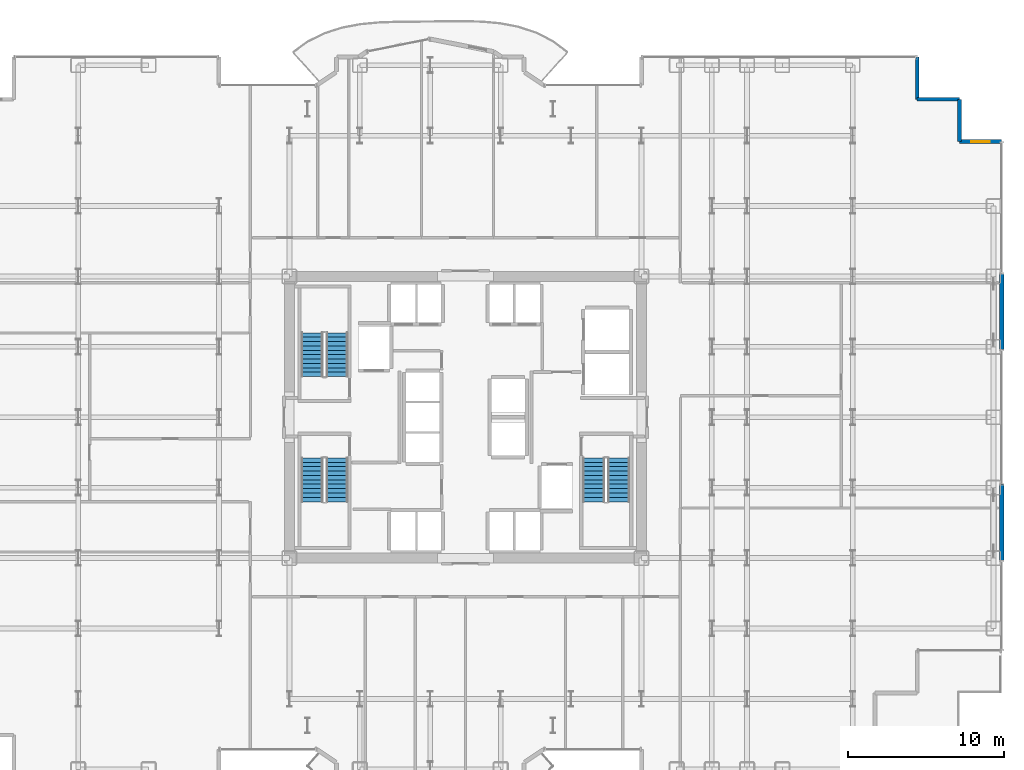
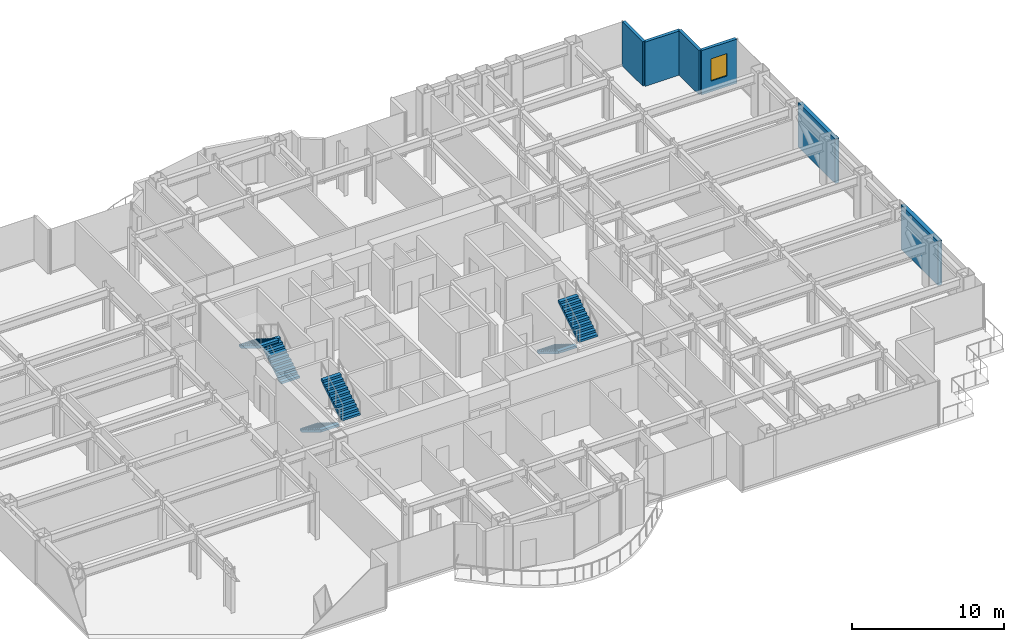
# One storey, part 27 of 29: 6 stair flights, 6 walls, 1 window, 1 opening, 3 elements without a shape of their own.
"""IFC4 building model written with IfcOpenShell, lengths in metres."""

from ifc_helpers import new_model, si_unit, direction, frame, frame_2d, origin, place, context, subcontext, project, spatial, polyline, rectangle, outline, extrude, source, transform, mapped, material, layer, layer_set, type_object, element, fill, aggregate, save


model = new_model("IFC4")

# Units and contexts
model_context = context("Model", 3, precision=1e-05, world=origin(), true_north=direction((0.0, 1.0)))
body_context = subcontext(model_context, "Body", "Model", "MODEL_VIEW")
ifc_project = project(units=[si_unit("LENGTHUNIT", "METRE"), si_unit("AREAUNIT", "SQUARE_METRE"), si_unit("VOLUMEUNIT", "CUBIC_METRE"), si_unit("PLANEANGLEUNIT", "RADIAN"), si_unit("MASSUNIT", "GRAM", prefix="KILO")], contexts=[model_context])

# Site, building, storey
site_placement = place(None, origin())
site = spatial("IfcSite", under=ifc_project, at=site_placement, CompositionType="ELEMENT")
building_placement = place(site_placement, origin())
building = spatial("IfcBuilding", under=site, at=building_placement, Name="Nefas-Gora Pilgrimage Tower", CompositionType="ELEMENT")
storey_placement = place(building_placement, frame((0.0, 0.0, 67.199951171875)))
storey = spatial("IfcBuildingStorey", under=building, at=storey_placement, Name="L15", CompositionType="ELEMENT", Elevation=67.199951171875)

# Walls
ifc_material_1 = material(Name="Precast concrete C45/55", Category="concrete")
ifc_layer = layer(ifc_material_1, 0.239990234375)
ifc_layer_set = layer_set([ifc_layer], Name="Precast concrete C45/55")
wall_type = type_object("IfcWallType", Name="EW-SERR-240", PredefinedType="SHEAR", material=ifc_layer_set)
shared_shape_1 = source(origin(), body_context, "Body", "SweptSolid", [
    extrude(rectangle(XDim=4.8798828125, YDim=0.300048828125, at=frame_2d((2.43994140625, 0.0))), origin(), (0.0, 0.0, 1.0), 3.550048828125),
])
for number, where, z_axis, x_axis, name in (
    (1, (34.27001953125, -9.18994140625, 0.0), (0.0, 0.0, 1.0), (0.0, 1.0, 0.0), "L15 Braced-Tube Precast Shear Cladding 3"),
    (2, (34.27001953125, 4.31005859375, 0.0), (0.0, 0.0, 1.0), (0.0, 1.0, 0.0), "L15 Braced-Tube Precast Shear Cladding 4"),
):
    element("IfcWall", number, at=place(storey_placement, frame(where, z_axis=z_axis, x_axis=x_axis)), inside=storey, type_object=wall_type, Name=name, PredefinedType="SHEAR", context=body_context, shape_type="MappedRepresentation", body=[
        mapped(shared_shape_1, transform((0.0, 0.0, 0.0), x_axis=(1.0, 0.0, 0.0), y_axis=(0.0, 1.0, 0.0), z_axis=(0.0, 0.0, 1.0), scale=1.0)),
    ])

# Wall, opening, window
shared_shape_2 = source(origin(), body_context, "Body", "SweptSolid", [
    extrude(rectangle(XDim=2.699951171875, YDim=0.239990234375, at=frame_2d((1.35009765625, 0.0))), origin(), (0.0, 0.0, 1.0), 3.550048828125),
])
wall_placement = place(storey_placement, frame((34.27001953125, 17.6201171875, 0.0), z_axis=(0.0, 0.0, 1.0), x_axis=(-1.0, 0.0, 0.0)))
wall = element("IfcWall", 3, at=wall_placement, inside=storey, type_object=wall_type, Name="L15 Serrated Corner Shear Pier Wall 9", PredefinedType="SHEAR", context=body_context, shape_type="MappedRepresentation", body=[
    mapped(shared_shape_2, transform((0.0, 0.0, 0.0), x_axis=(1.0, 0.0, 0.0), y_axis=(0.0, 1.0, 0.0), z_axis=(0.0, 0.0, 1.0), scale=1.0)),
])
opening_placement = place(wall_placement, frame((0.75, 0.0, 0.85009765625)))
opening = element("IfcOpeningElement", 4, at=opening_placement, cuts=wall, Name="Opening W-V1", PredefinedType="OPENING", context=body_context, shape_type="SweptSolid", body=[
    extrude(rectangle(XDim=1.199951171875, YDim=1.800048828125, at=frame_2d((0.60009765625, 0.89990234375))), frame((0.0, 0.1298828125, 0.0), z_axis=(0.0, -1.0, 0.0), x_axis=(1.0, 0.0, 0.0)), (0.0, 0.0, 1.0), 0.260009765625),
])
ifc_material_2 = material(Name="Dark ceramic-fritted operable aluminium-glass window", Category="aluminium")
window_type = type_object("IfcWindowType", Name="WIN-VENT-1200x1800", PartitioningType="SINGLE_PANEL", PredefinedType="WINDOW", material=ifc_material_2)
shared_shape_3 = source(origin(), body_context, "Body", "SweptSolid", [
    extrude(rectangle(XDim=1.199951171875, YDim=1.800048828125, at=frame_2d((0.60009765625, 0.89990234375))), frame((0.0, 0.030029296875, 0.0), z_axis=(0.0, -1.0, 0.0), x_axis=(1.0, 0.0, 0.0)), (0.0, 0.0, 1.0), 0.06005859375),
])
window_placement = place(opening_placement, origin())
window = element("IfcWindow", 5, at=window_placement, inside=storey, type_object=window_type, Name="L15 Operable Parallel-Outswing Window 9", OverallHeight=1.800048828125, OverallWidth=1.199951171875, PartitioningType="SINGLE_PANEL", PredefinedType="WINDOW", context=body_context, shape_type="MappedRepresentation", body=[
    mapped(shared_shape_3, transform((0.0, 0.0, 0.0), x_axis=(1.0, 0.0, 0.0), y_axis=(0.0, 1.0, 0.0), z_axis=(0.0, 0.0, 1.0), scale=1.0)),
])
fill(opening, window)

# Walls
for number, where, z_axis, x_axis, name in (
    (6, (31.570068359375, 17.6201171875, 0.0), (0.0, 0.0, 1.0), (0.0, 1.0, 0.0), "L15 Serrated Corner Shear Pier Wall 10"),
    (7, (31.570068359375, 20.320068359375, 0.0), (0.0, 0.0, 1.0), (-1.0, 0.0, 0.0), "L15 Serrated Corner Shear Pier Wall 11"),
    (8, (28.8701171875, 20.320068359375, 0.0), (0.0, 0.0, 1.0), (0.0, 1.0, 0.0), "L15 Serrated Corner Shear Pier Wall 12"),
):
    element("IfcWall", number, at=place(storey_placement, frame(where, z_axis=z_axis, x_axis=x_axis)), inside=storey, type_object=wall_type, Name=name, PredefinedType="SHEAR", context=body_context, shape_type="MappedRepresentation", body=[
        mapped(shared_shape_2, transform((0.0, 0.0, 0.0), x_axis=(1.0, 0.0, 0.0), y_axis=(0.0, 1.0, 0.0), z_axis=(0.0, 0.0, 1.0), scale=1.0)),
    ])

# Stair, stair flights
ifc_material_3 = material(Name="Concrete C45/55", Category="concrete")
stair_type = type_object("IfcStairType", Name="STR-1400-R1727", PredefinedType="HALF_TURN_STAIR", material=ifc_material_3)
stair_1_placement = place(storey_placement, origin())
stair_1 = element("IfcStair", 9, at=stair_1_placement, inside=storey, type_object=stair_type, Name="L15 Pressurised Tower Exit Stair ST-01", PredefinedType="HALF_TURN_STAIR")
stair_flight_type = type_object("IfcStairFlightType", Name="STF-1400-R1727", PredefinedType="STRAIGHT", material=ifc_material_3)
shared_shape_4 = source(origin(), body_context, "Body", "SweptSolid", [
    extrude(outline(polyline([(0.0, 0.0), (0.0, 0.172607421875), (0.280029296875, 0.172607421875), (0.280029296875, 0.345458984375), (0.56005859375, 0.345458984375), (0.56005859375, 0.51806640625), (0.840087890625, 0.51806640625), (0.840087890625, 0.69091796875), (1.1201171875, 0.69091796875), (1.1201171875, 0.863525390625), (1.39990234375, 0.863525390625), (1.39990234375, 1.036376953125), (1.679931640625, 1.036376953125), (1.679931640625, 1.208984375), (1.9599609375, 1.208984375), (1.9599609375, 1.3818359375), (2.239990234375, 1.3818359375), (2.239990234375, 1.554443359375), (2.52001953125, 1.554443359375), (2.52001953125, 1.727294921875), (2.800048828125, 1.727294921875), (2.800048828125, 1.89990234375), (2.800048828125, 1.551025390625), (0.285400390625, 0.0), (0.0, 0.0)])), frame((0.0, 0.699951171875, 0.0), z_axis=(0.0, -1.0, 0.0), x_axis=(1.0, 0.0, 0.0)), (0.0, 0.0, 1.0), 1.39990234375),
])
stair_flight_1_placement = place(storey_placement, frame((-8.199951171875, 2.60009765625, 0.0), z_axis=(0.0, 0.0, 1.0), x_axis=(0.0, 1.0, 0.0)))
stair_flight_1 = element("IfcStairFlight", 10, at=stair_flight_1_placement, type_object=stair_flight_type, Name="ST-01 flight 1", NumberOfRisers=11, NumberOfTreads=10, PredefinedType="STRAIGHT", RiserHeight=0.172727273, TreadLength=0.28, context=body_context, shape_type="MappedRepresentation", body=[
    mapped(shared_shape_4, transform((0.0, 0.0, 0.0), x_axis=(1.0, 0.0, 0.0), y_axis=(0.0, 1.0, 0.0), z_axis=(0.0, 0.0, 1.0), scale=1.0)),
])
stair_flight_2_placement = place(storey_placement, frame((-9.800048828125, 5.39990234375, 1.900146484375), z_axis=(0.0, 0.0, 1.0), x_axis=(0.0, -1.0, 0.0)))
stair_flight_2 = element("IfcStairFlight", 11, at=stair_flight_2_placement, type_object=stair_flight_type, Name="ST-01 flight 2", NumberOfRisers=11, NumberOfTreads=10, PredefinedType="STRAIGHT", RiserHeight=0.172727273, TreadLength=0.28, context=body_context, shape_type="MappedRepresentation", body=[
    mapped(shared_shape_4, transform((0.0, 0.0, 0.0), x_axis=(1.0, 0.0, 0.0), y_axis=(0.0, 1.0, 0.0), z_axis=(0.0, 0.0, 1.0), scale=1.0)),
])
aggregate(stair_1, [stair_flight_1, stair_flight_2])

stair_2_placement = place(storey_placement, origin())
stair_2 = element("IfcStair", 12, at=stair_2_placement, inside=storey, type_object=stair_type, Name="L15 Pressurised Tower Exit Stair ST-02", PredefinedType="HALF_TURN_STAIR")
stair_flight_3_placement = place(storey_placement, frame((8.199951171875, -2.60009765625, 0.0), z_axis=(0.0, 0.0, 1.0), x_axis=(0.0, -1.0, 0.0)))
stair_flight_3 = element("IfcStairFlight", 13, at=stair_flight_3_placement, type_object=stair_flight_type, Name="ST-02 flight 1", NumberOfRisers=11, NumberOfTreads=10, PredefinedType="STRAIGHT", RiserHeight=0.172727273, TreadLength=0.28, context=body_context, shape_type="MappedRepresentation", body=[
    mapped(shared_shape_4, transform((0.0, 0.0, 0.0), x_axis=(1.0, 0.0, 0.0), y_axis=(0.0, 1.0, 0.0), z_axis=(0.0, 0.0, 1.0), scale=1.0)),
])
stair_flight_4_placement = place(storey_placement, frame((9.800048828125, -5.39990234375, 1.900146484375), z_axis=(0.0, 0.0, 1.0), x_axis=(0.0, 1.0, 0.0)))
stair_flight_4 = element("IfcStairFlight", 14, at=stair_flight_4_placement, type_object=stair_flight_type, Name="ST-02 flight 2", NumberOfRisers=11, NumberOfTreads=10, PredefinedType="STRAIGHT", RiserHeight=0.172727273, TreadLength=0.28, context=body_context, shape_type="MappedRepresentation", body=[
    mapped(shared_shape_4, transform((0.0, 0.0, 0.0), x_axis=(1.0, 0.0, 0.0), y_axis=(0.0, 1.0, 0.0), z_axis=(0.0, 0.0, 1.0), scale=1.0)),
])
aggregate(stair_2, [stair_flight_3, stair_flight_4])

stair_3_placement = place(storey_placement, origin())
stair_3 = element("IfcStair", 15, at=stair_3_placement, inside=storey, type_object=stair_type, Name="L15 Pressurised Tower Exit Stair ST-03", PredefinedType="HALF_TURN_STAIR")
stair_flight_5_placement = place(storey_placement, frame((-9.800048828125, -2.60009765625, 0.0), z_axis=(0.0, 0.0, 1.0), x_axis=(0.0, -1.0, 0.0)))
stair_flight_5 = element("IfcStairFlight", 16, at=stair_flight_5_placement, type_object=stair_flight_type, Name="ST-03 flight 1", NumberOfRisers=11, NumberOfTreads=10, PredefinedType="STRAIGHT", RiserHeight=0.172727273, TreadLength=0.28, context=body_context, shape_type="MappedRepresentation", body=[
    mapped(shared_shape_4, transform((0.0, 0.0, 0.0), x_axis=(1.0, 0.0, 0.0), y_axis=(0.0, 1.0, 0.0), z_axis=(0.0, 0.0, 1.0), scale=1.0)),
])
stair_flight_6_placement = place(storey_placement, frame((-8.199951171875, -5.39990234375, 1.900146484375), z_axis=(0.0, 0.0, 1.0), x_axis=(0.0, 1.0, 0.0)))
stair_flight_6 = element("IfcStairFlight", 17, at=stair_flight_6_placement, type_object=stair_flight_type, Name="ST-03 flight 2", NumberOfRisers=11, NumberOfTreads=10, PredefinedType="STRAIGHT", RiserHeight=0.172727273, TreadLength=0.28, context=body_context, shape_type="MappedRepresentation", body=[
    mapped(shared_shape_4, transform((0.0, 0.0, 0.0), x_axis=(1.0, 0.0, 0.0), y_axis=(0.0, 1.0, 0.0), z_axis=(0.0, 0.0, 1.0), scale=1.0)),
])
aggregate(stair_3, [stair_flight_5, stair_flight_6])

save(model, "model.ifc")
